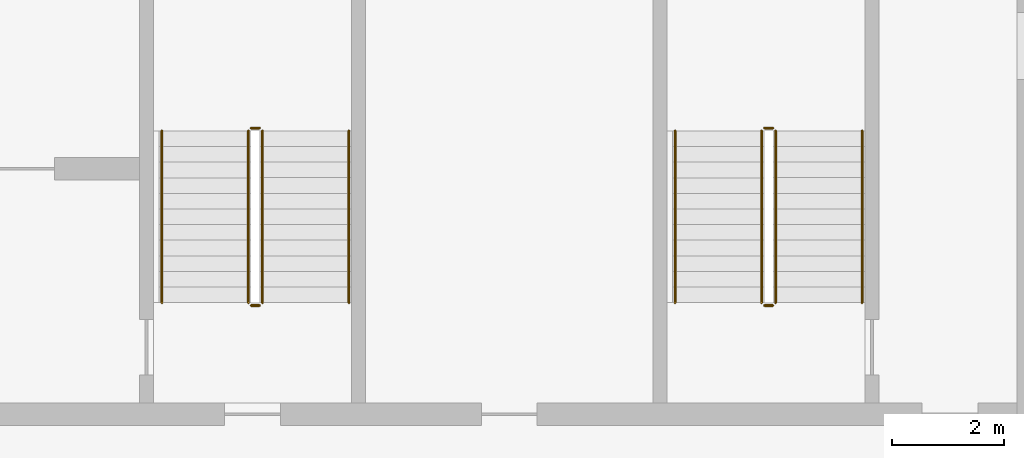
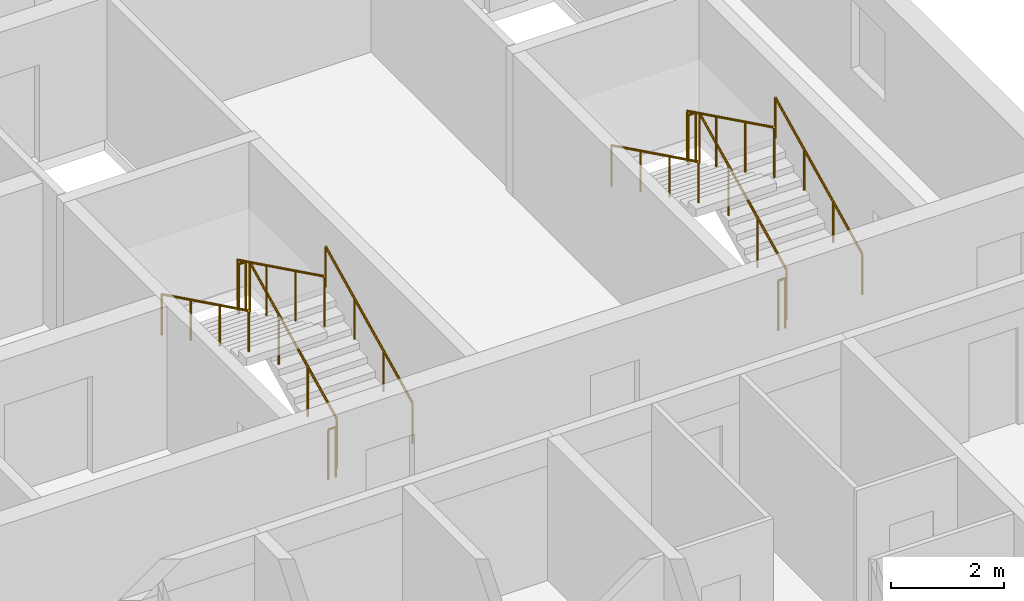
# One storey, part 15 of 27: 12 railings.
"""IFC4 building model written with IfcOpenShell, lengths in metres."""

from ifc_helpers import new_model, si_unit, direction, frame, origin, origin_2d, place, context, subcontext, project, spatial, circle, extrude, material, type_object, element, save


model = new_model("IFC4")

# Units and contexts
model_context = context("Model", 3, precision=1e-05, world=origin(), true_north=direction((0.0, 1.0)))
body_context = subcontext(model_context, "Body", "Model", "MODEL_VIEW")
ifc_project = project(units=[si_unit("LENGTHUNIT", "METRE"), si_unit("AREAUNIT", "SQUARE_METRE"), si_unit("VOLUMEUNIT", "CUBIC_METRE"), si_unit("PLANEANGLEUNIT", "RADIAN"), si_unit("MASSUNIT", "GRAM", prefix="KILO")], contexts=[model_context])

# Site, building, storey
site_placement = place(None, origin())
site = spatial("IfcSite", under=ifc_project, at=site_placement, CompositionType="ELEMENT")
building_placement = place(site_placement, origin())
building = spatial("IfcBuilding", under=site, at=building_placement, Name="Poui Terraces", CompositionType="ELEMENT")
storey_placement = place(building_placement, frame((0.0, 0.0, 191.699951171875)))
storey = spatial("IfcBuildingStorey", under=building, at=storey_placement, Name="L53", CompositionType="ELEMENT", Elevation=191.699951171875)

# Railings
ifc_material_1 = material(Name="Galvanised steel balustrade", Category="steel")
railing_type_1 = type_object("IfcRailingType", Name="STAIR GUARD 1100", PredefinedType="GUARDRAIL", material=ifc_material_1)
railing_1_placement = place(storey_placement, frame((70.27490234375, 16.60009765625, 0.137451171875)))
element("IfcRailing", 1, at=railing_1_placement, inside=storey, type_object=railing_type_1, Name="L53 ST-CE stair guard 1", PredefinedType="GUARDRAIL", context=body_context, shape_type="SweptSolid", body=[
    extrude(circle(Radius=0.02392578125, at=origin_2d()), frame((0.0, 0.0, 1.076171875), z_axis=(0.0, 0.897578036475, 0.440855609512), x_axis=(-1.0, 0.0, 0.0)), (0.0, 0.0, 1.0), 3.43115234375),
    extrude(circle(Radius=0.02099609375, at=origin_2d()), origin(), (0.0, 0.0, 1.0), 1.052001953125),
    extrude(circle(Radius=0.02099609375, at=origin_2d()), frame((0.0, 1.026611328125, 0.504150390625)), (0.0, 0.0, 1.0), 1.052001953125),
    extrude(circle(Radius=0.02099609375, at=origin_2d()), frame((0.0, 2.05322265625, 1.008544921875)), (0.0, 0.0, 1.0), 1.052001953125),
    extrude(circle(Radius=0.02099609375, at=origin_2d()), frame((0.0, 3.079833984375, 1.5126953125)), (0.0, 0.0, 1.0), 1.052001953125),
])
railing_2_placement = place(storey_placement, frame((70.22509765625, 19.72998046875, 1.650146484375)))
element("IfcRailing", 2, at=railing_2_placement, inside=storey, type_object=railing_type_1, Name="L53 ST-CE stair guard 2", PredefinedType="GUARDRAIL", context=body_context, shape_type="SweptSolid", body=[
    extrude(circle(Radius=0.02392578125, at=origin_2d()), frame((0.0, 0.0, 1.076171875), z_axis=(-1.0, 0.0, 0.0), x_axis=(0.0, -1.0, 0.0)), (0.0, 0.0, 1.0), 0.150146484375),
    extrude(circle(Radius=0.02099609375, at=origin_2d()), origin(), (0.0, 0.0, 1.0), 1.052001953125),
    extrude(circle(Radius=0.02099609375, at=origin_2d()), frame((-0.150146484375, 0.0, 0.0)), (0.0, 0.0, 1.0), 1.052001953125),
])
railing_3_placement = place(storey_placement, frame((70.02490234375, 19.679931640625, 1.78759765625)))
element("IfcRailing", 3, at=railing_3_placement, inside=storey, type_object=railing_type_1, Name="L53 ST-CE stair guard 3", PredefinedType="GUARDRAIL", context=body_context, shape_type="SweptSolid", body=[
    extrude(circle(Radius=0.02392578125, at=origin_2d()), frame((0.0, 0.0, 1.076171875), z_axis=(0.0, -0.897606190399, 0.440798283751), x_axis=(1.0, 0.0, 0.0)), (0.0, 0.0, 1.0), 3.43115234375),
    extrude(circle(Radius=0.02099609375, at=origin_2d()), origin(), (0.0, 0.0, 1.0), 1.052001953125),
    extrude(circle(Radius=0.02099609375, at=origin_2d()), frame((0.0, -1.026611328125, 0.504150390625)), (0.0, 0.0, 1.0), 1.052001953125),
    extrude(circle(Radius=0.02099609375, at=origin_2d()), frame((0.0, -2.05322265625, 1.00830078125)), (0.0, 0.0, 1.0), 1.052001953125),
    extrude(circle(Radius=0.02099609375, at=origin_2d()), frame((0.0, -3.079833984375, 1.512451171875)), (0.0, 0.0, 1.0), 1.052001953125),
])
railing_4_placement = place(storey_placement, frame((70.22509765625, 16.550048828125, 0.0)))
element("IfcRailing", 4, at=railing_4_placement, inside=storey, type_object=railing_type_1, Name="L53 ST-CE stair guard 4", PredefinedType="GUARDRAIL", context=body_context, shape_type="SweptSolid", body=[
    extrude(circle(Radius=0.02392578125, at=origin_2d()), frame((0.0, 0.0, 1.076171875), z_axis=(-1.0, 0.0, 0.0), x_axis=(0.0, -1.0, 0.0)), (0.0, 0.0, 1.0), 0.150146484375),
    extrude(circle(Radius=0.02099609375, at=origin_2d()), origin(), (0.0, 0.0, 1.0), 1.052001953125),
    extrude(circle(Radius=0.02099609375, at=origin_2d()), frame((-0.150146484375, 0.0, 0.0)), (0.0, 0.0, 1.0), 1.052001953125),
])
railing_5_placement = place(storey_placement, frame((79.47509765625, 16.60009765625, 0.137451171875)))
element("IfcRailing", 5, at=railing_5_placement, inside=storey, type_object=railing_type_1, Name="L53 ST-E stair guard 1", PredefinedType="GUARDRAIL", context=body_context, shape_type="SweptSolid", body=[
    extrude(circle(Radius=0.02392578125, at=origin_2d()), frame((0.0, 0.0, 1.076171875), z_axis=(0.0, 0.897578036475, 0.440855609512), x_axis=(-1.0, 0.0, 0.0)), (0.0, 0.0, 1.0), 3.43115234375),
    extrude(circle(Radius=0.02099609375, at=origin_2d()), origin(), (0.0, 0.0, 1.0), 1.052001953125),
    extrude(circle(Radius=0.02099609375, at=origin_2d()), frame((0.0, 1.026611328125, 0.504150390625)), (0.0, 0.0, 1.0), 1.052001953125),
    extrude(circle(Radius=0.02099609375, at=origin_2d()), frame((0.0, 2.05322265625, 1.008544921875)), (0.0, 0.0, 1.0), 1.052001953125),
    extrude(circle(Radius=0.02099609375, at=origin_2d()), frame((0.0, 3.079833984375, 1.5126953125)), (0.0, 0.0, 1.0), 1.052001953125),
])
railing_6_placement = place(storey_placement, frame((79.425048828125, 19.72998046875, 1.650146484375)))
element("IfcRailing", 6, at=railing_6_placement, inside=storey, type_object=railing_type_1, Name="L53 ST-E stair guard 2", PredefinedType="GUARDRAIL", context=body_context, shape_type="SweptSolid", body=[
    extrude(circle(Radius=0.02392578125, at=origin_2d()), frame((0.0, 0.0, 1.076171875), z_axis=(-1.0, 0.0, 0.0), x_axis=(0.0, -1.0, 0.0)), (0.0, 0.0, 1.0), 0.150146484375),
    extrude(circle(Radius=0.02099609375, at=origin_2d()), origin(), (0.0, 0.0, 1.0), 1.052001953125),
    extrude(circle(Radius=0.02099609375, at=origin_2d()), frame((-0.150146484375, 0.0, 0.0)), (0.0, 0.0, 1.0), 1.052001953125),
])
railing_7_placement = place(storey_placement, frame((79.22509765625, 19.679931640625, 1.78759765625)))
element("IfcRailing", 7, at=railing_7_placement, inside=storey, type_object=railing_type_1, Name="L53 ST-E stair guard 3", PredefinedType="GUARDRAIL", context=body_context, shape_type="SweptSolid", body=[
    extrude(circle(Radius=0.02392578125, at=origin_2d()), frame((0.0, 0.0, 1.076171875), z_axis=(0.0, -0.897606190399, 0.440798283751), x_axis=(1.0, 0.0, 0.0)), (0.0, 0.0, 1.0), 3.43115234375),
    extrude(circle(Radius=0.02099609375, at=origin_2d()), origin(), (0.0, 0.0, 1.0), 1.052001953125),
    extrude(circle(Radius=0.02099609375, at=origin_2d()), frame((0.0, -1.026611328125, 0.504150390625)), (0.0, 0.0, 1.0), 1.052001953125),
    extrude(circle(Radius=0.02099609375, at=origin_2d()), frame((0.0, -2.05322265625, 1.00830078125)), (0.0, 0.0, 1.0), 1.052001953125),
    extrude(circle(Radius=0.02099609375, at=origin_2d()), frame((0.0, -3.079833984375, 1.512451171875)), (0.0, 0.0, 1.0), 1.052001953125),
])
railing_8_placement = place(storey_placement, frame((79.425048828125, 16.550048828125, 0.0)))
element("IfcRailing", 8, at=railing_8_placement, inside=storey, type_object=railing_type_1, Name="L53 ST-E stair guard 4", PredefinedType="GUARDRAIL", context=body_context, shape_type="SweptSolid", body=[
    extrude(circle(Radius=0.02392578125, at=origin_2d()), frame((0.0, 0.0, 1.076171875), z_axis=(-1.0, 0.0, 0.0), x_axis=(0.0, -1.0, 0.0)), (0.0, 0.0, 1.0), 0.150146484375),
    extrude(circle(Radius=0.02099609375, at=origin_2d()), origin(), (0.0, 0.0, 1.0), 1.052001953125),
    extrude(circle(Radius=0.02099609375, at=origin_2d()), frame((-0.150146484375, 0.0, 0.0)), (0.0, 0.0, 1.0), 1.052001953125),
])
ifc_material_2 = material(Name="Stainless steel handrail", Category="steel")
railing_type_2 = type_object("IfcRailingType", Name="STAIR HANDRAIL 900", PredefinedType="HANDRAIL", material=ifc_material_2)
railing_9_placement = place(storey_placement, frame((71.824951171875, 16.60009765625, 0.137451171875)))
element("IfcRailing", 9, at=railing_9_placement, inside=storey, type_object=railing_type_2, Name="L53 ST-CE stair handrail 1", PredefinedType="HANDRAIL", context=body_context, shape_type="SweptSolid", body=[
    extrude(circle(Radius=0.02392578125, at=origin_2d()), frame((0.0, 0.0, 0.8759765625), z_axis=(0.0, 0.897578036475, 0.440855609512), x_axis=(-1.0, 0.0, 0.0)), (0.0, 0.0, 1.0), 3.43115234375),
    extrude(circle(Radius=0.02099609375, at=origin_2d()), origin(), (0.0, 0.0, 1.0), 0.851806640625),
    extrude(circle(Radius=0.02099609375, at=origin_2d()), frame((0.0, 1.026611328125, 0.504150390625)), (0.0, 0.0, 1.0), 0.851806640625),
    extrude(circle(Radius=0.02099609375, at=origin_2d()), frame((0.0, 2.05322265625, 1.008544921875)), (0.0, 0.0, 1.0), 0.851806640625),
    extrude(circle(Radius=0.02099609375, at=origin_2d()), frame((0.0, 3.079833984375, 1.5126953125)), (0.0, 0.0, 1.0), 0.851806640625),
])
railing_10_placement = place(storey_placement, frame((68.47509765625, 19.679931640625, 1.78759765625)))
element("IfcRailing", 10, at=railing_10_placement, inside=storey, type_object=railing_type_2, Name="L53 ST-CE stair handrail 2", PredefinedType="HANDRAIL", context=body_context, shape_type="SweptSolid", body=[
    extrude(circle(Radius=0.02392578125, at=origin_2d()), frame((0.0, 0.0, 0.8759765625), z_axis=(0.0, -0.897606190399, 0.440798283751), x_axis=(1.0, 0.0, 0.0)), (0.0, 0.0, 1.0), 3.43115234375),
    extrude(circle(Radius=0.02099609375, at=origin_2d()), origin(), (0.0, 0.0, 1.0), 0.851806640625),
    extrude(circle(Radius=0.02099609375, at=origin_2d()), frame((0.0, -1.026611328125, 0.504150390625)), (0.0, 0.0, 1.0), 0.851806640625),
    extrude(circle(Radius=0.02099609375, at=origin_2d()), frame((0.0, -2.05322265625, 1.00830078125)), (0.0, 0.0, 1.0), 0.851806640625),
    extrude(circle(Radius=0.02099609375, at=origin_2d()), frame((0.0, -3.079833984375, 1.512451171875)), (0.0, 0.0, 1.0), 0.851806640625),
])
railing_11_placement = place(storey_placement, frame((81.02490234375, 16.60009765625, 0.137451171875)))
element("IfcRailing", 11, at=railing_11_placement, inside=storey, type_object=railing_type_2, Name="L53 ST-E stair handrail 1", PredefinedType="HANDRAIL", context=body_context, shape_type="SweptSolid", body=[
    extrude(circle(Radius=0.02392578125, at=origin_2d()), frame((0.0, 0.0, 0.8759765625), z_axis=(0.0, 0.897578036475, 0.440855609512), x_axis=(-1.0, 0.0, 0.0)), (0.0, 0.0, 1.0), 3.43115234375),
    extrude(circle(Radius=0.02099609375, at=origin_2d()), origin(), (0.0, 0.0, 1.0), 0.851806640625),
    extrude(circle(Radius=0.02099609375, at=origin_2d()), frame((0.0, 1.026611328125, 0.504150390625)), (0.0, 0.0, 1.0), 0.851806640625),
    extrude(circle(Radius=0.02099609375, at=origin_2d()), frame((0.0, 2.05322265625, 1.008544921875)), (0.0, 0.0, 1.0), 0.851806640625),
    extrude(circle(Radius=0.02099609375, at=origin_2d()), frame((0.0, 3.079833984375, 1.5126953125)), (0.0, 0.0, 1.0), 0.851806640625),
])
railing_12_placement = place(storey_placement, frame((77.675048828125, 19.679931640625, 1.78759765625)))
element("IfcRailing", 12, at=railing_12_placement, inside=storey, type_object=railing_type_2, Name="L53 ST-E stair handrail 2", PredefinedType="HANDRAIL", context=body_context, shape_type="SweptSolid", body=[
    extrude(circle(Radius=0.02392578125, at=origin_2d()), frame((0.0, 0.0, 0.8759765625), z_axis=(0.0, -0.897606190399, 0.440798283751), x_axis=(1.0, 0.0, 0.0)), (0.0, 0.0, 1.0), 3.43115234375),
    extrude(circle(Radius=0.02099609375, at=origin_2d()), origin(), (0.0, 0.0, 1.0), 0.851806640625),
    extrude(circle(Radius=0.02099609375, at=origin_2d()), frame((0.0, -1.026611328125, 0.504150390625)), (0.0, 0.0, 1.0), 0.851806640625),
    extrude(circle(Radius=0.02099609375, at=origin_2d()), frame((0.0, -2.05322265625, 1.00830078125)), (0.0, 0.0, 1.0), 0.851806640625),
    extrude(circle(Radius=0.02099609375, at=origin_2d()), frame((0.0, -3.079833984375, 1.512451171875)), (0.0, 0.0, 1.0), 0.851806640625),
])

save(model, "model.ifc")
